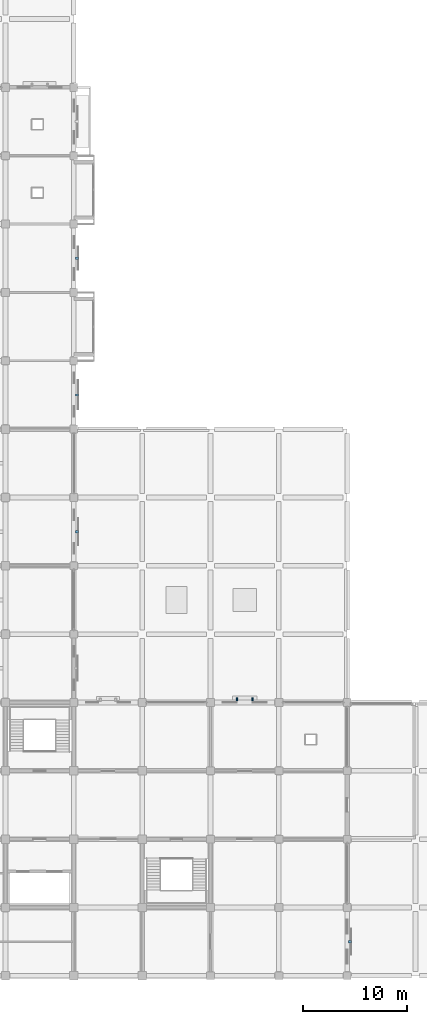
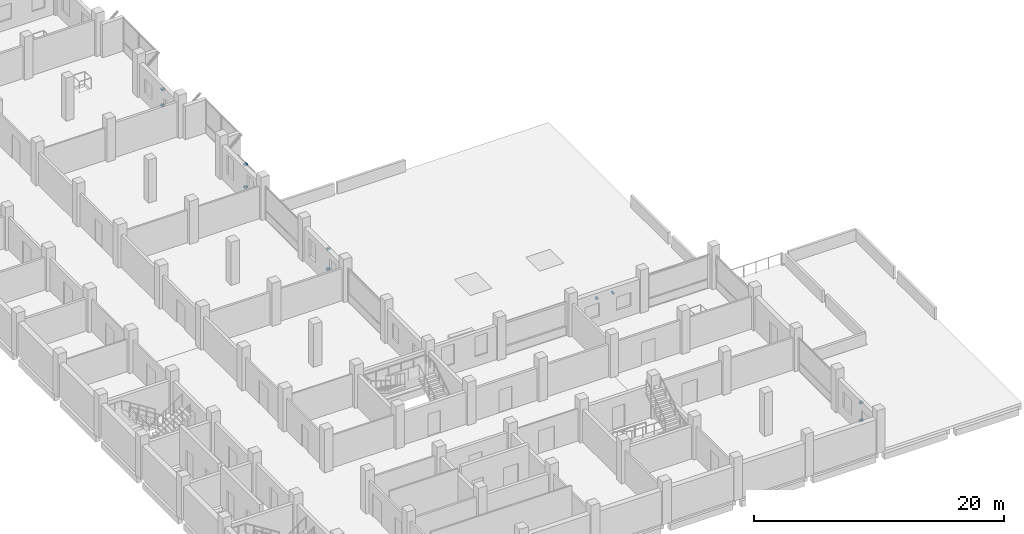
# One storey, part 20 of 23: 10 discrete accessories.
"""IFC4 building model written with IfcOpenShell, lengths in metres."""

import ifcopenshell
import ifcopenshell.guid

model = None  # the IFC model being written
_history = None  # IfcOwnerHistory: only IFC2X3 demands one
_inside = {}  # id of a spatial element -> (the spatial element, [elements in it])
_under = {}  # id of a project, library or spatial element -> (it, [spatial elements below it])
_declared = {}  # id of a project -> (the project, [libraries it declares])
_typed = {}  # id of a type object -> (the type object, [elements of that type])
_made_of = {}  # id of a material, layer set ... -> (it, [elements and type objects made of it])


def new_model(schema):
    """Start an empty IFC model of exactly this schema.

    Asked for "IFC4X3", IfcOpenShell would pick the latest addendum, in which some entities
    have other attributes; the version numbers below select the first issue.
    IFC2X3 requires an IfcOwnerHistory on every rooted entity: one is made here for all.
    """
    global model, _history
    if schema == "IFC4X3":
        model = ifcopenshell.file(schema_version=(4, 3, 0, 0))
    else:
        model = ifcopenshell.file(schema=schema)
    _inside.clear()
    _under.clear()
    _declared.clear()
    _typed.clear()
    _made_of.clear()
    _history = None
    if model.schema == "IFC2X3":
        org = make("IfcOrganization", Name="unknown")
        user = make(
            "IfcPersonAndOrganization",
            ThePerson=make("IfcPerson", FamilyName="unknown"),
            TheOrganization=org,
        )
        app = make(
            "IfcApplication",
            ApplicationDeveloper=org,
            Version="unknown",
            ApplicationFullName="unknown",
            ApplicationIdentifier="unknown",
        )
        _history = make(
            "IfcOwnerHistory",
            OwningUser=user,
            OwningApplication=app,
            ChangeAction="ADDED",
            CreationDate=0,
        )
    return model


def make(cls, **values):
    """One entity of the class cls with the attributes given. An attribute that is None is left unset."""
    return model.create_entity(
        cls, **{name: value for name, value in values.items() if value is not None}
    )


def rooted(cls, **values):
    """An entity with a GlobalId (a new one), such as an element, a storey or a relation."""
    return make(cls, GlobalId=ifcopenshell.guid.new(), OwnerHistory=_history, **values)


def si_unit(unit_type, name, prefix=None):
    """IfcSIUnit, for example si_unit("LENGTHUNIT", "METRE", prefix="MILLI")."""
    return make("IfcSIUnit", UnitType=unit_type, Prefix=prefix, Name=name)


def assignment(units):
    """IfcUnitAssignment: the units of a project."""
    return None if units is None else make("IfcUnitAssignment", Units=units)


def point(xyz):
    """IfcCartesianPoint."""
    return None if xyz is None else make("IfcCartesianPoint", Coordinates=xyz)


def direction(xyz):
    """IfcDirection."""
    return None if xyz is None else make("IfcDirection", DirectionRatios=xyz)


def frame(location, z_axis=None, x_axis=None):
    """IfcAxis2Placement3D, a coordinate frame: its origin and axes. An axis left out is left unset."""
    return make(
        "IfcAxis2Placement3D",
        Location=point(location),
        Axis=direction(z_axis),
        RefDirection=direction(x_axis),
    )


def frame_2d(location, x_axis=None):
    """IfcAxis2Placement2D, a coordinate frame in the plane: its origin and x axis."""
    return make(
        "IfcAxis2Placement2D", Location=point(location), RefDirection=direction(x_axis)
    )


def origin():
    """The frame at (0, 0, 0) with its axes left unset."""
    return frame((0.0, 0.0, 0.0))


def origin_2d():
    """The frame at (0, 0) in the plane with its x axis left unset."""
    return frame_2d((0.0, 0.0))


def place(relative_to, where):
    """IfcLocalPlacement: puts the frame where relative to a parent placement (None: the world)."""
    return make(
        "IfcLocalPlacement", PlacementRelTo=relative_to, RelativePlacement=where
    )


def context(
    kind, dimensions, precision=None, world=None, true_north=None, identifier=None
):
    """IfcGeometricRepresentationContext, for example the 3D "Model" context."""
    return make(
        "IfcGeometricRepresentationContext",
        ContextIdentifier=identifier,
        ContextType=kind,
        CoordinateSpaceDimension=dimensions,
        Precision=precision,
        WorldCoordinateSystem=world,
        TrueNorth=true_north,
    )


def subcontext(parent, identifier, kind, view, scale=None):
    """IfcGeometricRepresentationSubContext, for example "Body" below "Model"."""
    return make(
        "IfcGeometricRepresentationSubContext",
        ContextIdentifier=identifier,
        ContextType=kind,
        ParentContext=parent,
        TargetScale=scale,
        TargetView=view,
    )


def project(units=None, contexts=None):
    """IfcProject with its units and contexts."""
    return rooted(
        "IfcProject",
        Name="project",
        RepresentationContexts=contexts,
        UnitsInContext=assignment(units),
    )


def spatial(cls, under=None, at=None, **own):
    """A site, building, storey or space (cls), placed at a placement, below another one or the project."""
    s = rooted(cls, ObjectPlacement=at, **own)
    if under is not None:
        _under.setdefault(under.id(), (under, []))[1].append(s)
    return s


def profile(cls, at=None, kind="AREA", **sizes):
    """A parametric profile (cls). Its sizes go by their IFC names, for example OverallWidth=200.0."""
    return make(cls, ProfileType=kind, Position=at, **sizes)


def rectangle(**sizes):
    """IfcRectangleProfileDef."""
    return profile("IfcRectangleProfileDef", **sizes)


def extrude(swept, where, along, depth):
    """IfcExtrudedAreaSolid: the profile swept, set in the frame where, extruded along a direction by depth."""
    return make(
        "IfcExtrudedAreaSolid",
        SweptArea=swept,
        Position=where,
        ExtrudedDirection=direction(along),
        Depth=depth,
    )


def shape(context_of_items, identifier, shape_type, items):
    """IfcShapeRepresentation: the items that make up one representation, for example the "Body"."""
    return make(
        "IfcShapeRepresentation",
        ContextOfItems=context_of_items,
        RepresentationIdentifier=identifier,
        RepresentationType=shape_type,
        Items=items,
    )


def material(Name=None, Category=None):
    """IfcMaterial."""
    return make("IfcMaterial", Name=Name, Category=Category)


def made_of(thing, what):
    """Note that an element or type object is made of a material, layer set ...; save() writes the relation."""
    if what is not None:
        _made_of.setdefault(what.id(), (what, []))[1].append(thing)
    return thing


def type_object(cls, material=None, **own):
    """A type object (cls), such as IfcWallType, which elements share."""
    return made_of(rooted(cls, **own), material)


def element(
    cls,
    number,
    at=None,
    inside=None,
    cuts=None,
    type_object=None,
    material=None,
    context=None,
    identifier="Body",
    shape_type=None,
    held_by="IfcProductDefinitionShape",
    body=None,
    shapes=None,
    **own,
):
    """One element of the class cls, such as IfcWall. Its Tag is "e" and its number.

    at: its placement. inside: the storey or other place that contains it. cuts: it is an
    opening in that element (IfcRelVoidsElement). A single representation is given by context,
    identifier, shape_type and body (its items); several are given by shapes. held_by: the class
    of the entity that holds the representations. save() writes the other relations.
    """
    e = rooted(cls, Tag="e%d" % number, ObjectPlacement=at, **own)
    if body is not None:
        shapes = [shape(context, identifier, shape_type, body)]
    if shapes is not None:
        e.Representation = make(held_by, Representations=shapes)
    if inside is not None:
        _inside.setdefault(inside.id(), (inside, []))[1].append(e)
    if cuts is not None:
        rooted(
            "IfcRelVoidsElement", RelatingBuildingElement=cuts, RelatedOpeningElement=e
        )
    if type_object is not None:
        _typed.setdefault(type_object.id(), (type_object, []))[1].append(e)
    return made_of(e, material)


def aggregate(whole, parts):
    """IfcRelAggregates: a whole, such as a stair, and the parts it consists of."""
    return rooted("IfcRelAggregates", RelatingObject=whole, RelatedObjects=parts)


def save(model, path):
    """Write the relations noted so far, then the file.

    IfcRelAggregates (storeys below a building ...), IfcRelContainedInSpatialStructure (elements
    in a storey), IfcRelDefinesByType, IfcRelAssociatesMaterial and IfcRelDeclares: one each for
    every whole, place, type object, material and project.
    """
    for whole, parts in _under.values():
        aggregate(whole, parts)
    for where, things in _inside.values():
        rooted(
            "IfcRelContainedInSpatialStructure",
            RelatedElements=things,
            RelatingStructure=where,
        )
    for kind, things in _typed.values():
        rooted("IfcRelDefinesByType", RelatedObjects=things, RelatingType=kind)
    for what, things in _made_of.values():
        rooted("IfcRelAssociatesMaterial", RelatedObjects=things, RelatingMaterial=what)
    for by, libraries in _declared.values():
        rooted("IfcRelDeclares", RelatingContext=by, RelatedDefinitions=libraries)
    model.write(path)


model = new_model("IFC4")

# Units and contexts
model_context = context("Model", 3, precision=1e-05, world=origin(), true_north=direction((0.0, 1.0)))
body_context = subcontext(model_context, "Body", "Model", "MODEL_VIEW")
ifc_project = project(units=[si_unit("LENGTHUNIT", "METRE"), si_unit("AREAUNIT", "SQUARE_METRE"), si_unit("VOLUMEUNIT", "CUBIC_METRE"), si_unit("PLANEANGLEUNIT", "RADIAN"), si_unit("MASSUNIT", "GRAM", prefix="KILO")], contexts=[model_context])

# Site, building, storey
site_placement = place(None, origin())
site = spatial("IfcSite", under=ifc_project, at=site_placement, CompositionType="ELEMENT")
building_placement = place(site_placement, origin())
building = spatial("IfcBuilding", under=site, at=building_placement, Name="Rusizi Kubbe Research Institute", CompositionType="ELEMENT")
storey_placement = place(building_placement, frame((0.0, 0.0, 18.60009765625)))
storey = spatial("IfcBuildingStorey", under=building, at=storey_placement, Name="L04", CompositionType="ELEMENT", Elevation=18.60009765625)

# Discrete accessories
ifc_material_1 = material(Name="Steel S355", Category="steel")
discrete_accessory_type_1 = type_object("IfcDiscreteAccessoryType", Name="BK-01", PredefinedType="BRACKET", material=ifc_material_1)
for number, where, z_axis, x_axis, name in (
    (1, (26.719970703125, 42.89990234375, 0.73974609375), (0.0, 0.0, 1.0), (1.0, 0.0, 0.0), "Solar Screen Bracket 43-1"),
    (2, (26.719970703125, 42.89990234375, 2.7197265625), (0.0, 0.0, 1.0), (1.0, 0.0, 0.0), "Solar Screen Bracket 43-2"),
    (3, (26.702392578125, 56.10009765625, 0.73974609375), (0.0, 0.0, 1.0), (1.0, 0.0, 0.0), "Solar Screen Bracket 44-1"),
    (4, (26.702392578125, 56.10009765625, 2.93994140625), (0.0, 0.0, 1.0), (1.0, 0.0, 0.0), "Solar Screen Bracket 44-2"),
    (5, (26.6875, 69.300048828125, 0.73974609375), (0.0, 0.0, 1.0), (1.0, 0.0, 0.0), "Solar Screen Bracket 45-1"),
    (6, (26.6875, 69.300048828125, 2.27978515625), (0.0, 0.0, 1.0), (1.0, 0.0, 0.0), "Solar Screen Bracket 45-2"),
    (7, (53.072509765625, 3.300048828125, 0.73974609375), (0.0, 0.0, 1.0), (1.0, 0.0, 0.0), "Solar Screen Bracket 47-1"),
    (8, (53.072509765625, 3.300048828125, 2.5), (0.0, 0.0, 1.0), (1.0, 0.0, 0.0), "Solar Screen Bracket 47-2"),
):
    element("IfcDiscreteAccessory", number, at=place(storey_placement, frame(where, z_axis=z_axis, x_axis=x_axis)), inside=storey, type_object=discrete_accessory_type_1, Name=name, PredefinedType="BRACKET", context=body_context, shape_type="SweptSolid", body=[
        extrude(rectangle(XDim=0.300048828125, YDim=0.219970703125, at=origin_2d()), origin(), (0.0, 0.0, 1.0), 0.179931640625),
    ])
ifc_material_2 = material(Name="Steel S355", Category="steel")
discrete_accessory_type_2 = type_object("IfcDiscreteAccessoryType", Name="BK-02", PredefinedType="BRACKET", material=ifc_material_2)
for number, where, z_axis, x_axis, name in (
    (9, (42.14990234375, 26.7099609375, 2.2998046875), (0.0, 0.0, 1.0), (1.0, 0.0, 0.0), "Louver Canopy Bracket 32-1"),
    (10, (43.64990234375, 26.7099609375, 2.2998046875), (0.0, 0.0, 1.0), (1.0, 0.0, 0.0), "Louver Canopy Bracket 32-2"),
):
    element("IfcDiscreteAccessory", number, at=place(storey_placement, frame(where, z_axis=z_axis, x_axis=x_axis)), inside=storey, type_object=discrete_accessory_type_2, Name=name, PredefinedType="BRACKET", context=body_context, shape_type="SweptSolid", body=[
        extrude(rectangle(XDim=0.159912109375, YDim=0.280029296875, at=origin_2d()), origin(), (0.0, 0.0, 1.0), 0.179931640625),
    ])

save(model, "model.ifc")
